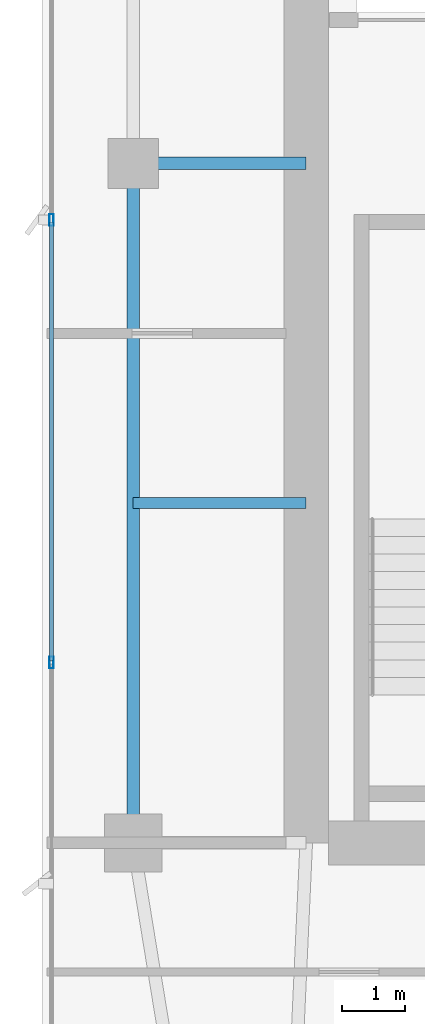
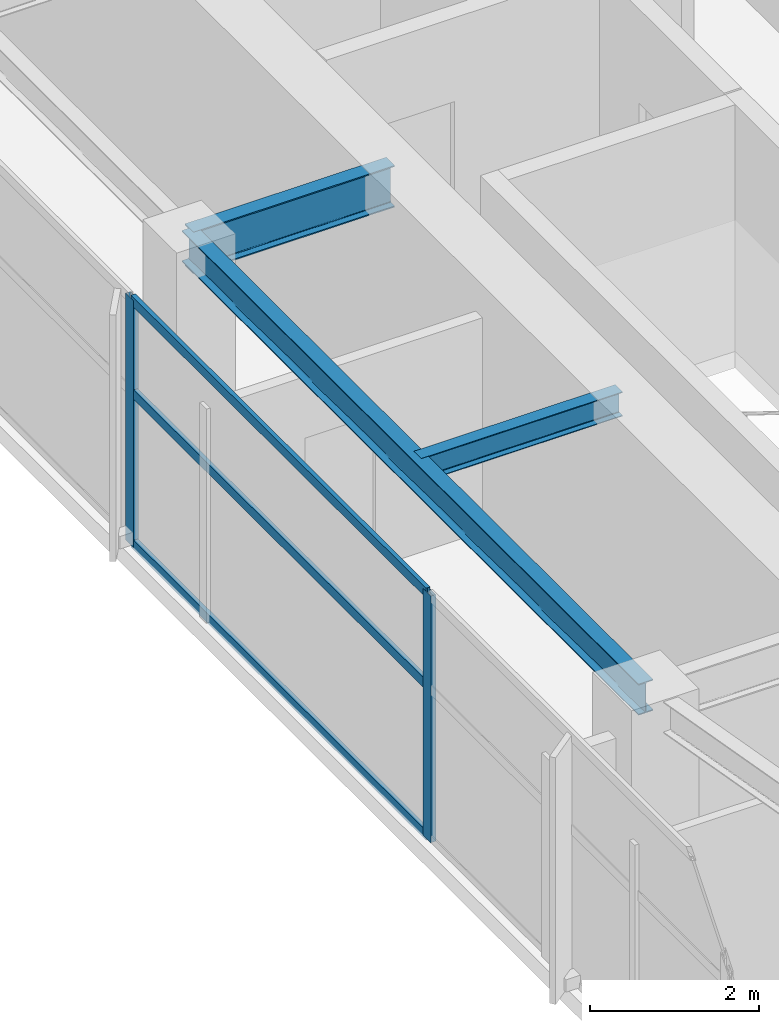
# One storey, part 8 of 27: 5 members, 3 beams, 1 element without a shape of its own.
"""IFC4 building model written with IfcOpenShell, lengths in metres."""

from ifc_helpers import new_model, si_unit, direction, frame, origin, origin_2d, place, context, subcontext, project, spatial, hollow_rectangle, i_section, extrude, material, layer, layer_set, material_profile, profile_set, type_object, element, aggregate, save


model = new_model("IFC4")

# Units and contexts
model_context = context("Model", 3, precision=1e-05, world=origin(), true_north=direction((0.0, 1.0)))
body_context = subcontext(model_context, "Body", "Model", "MODEL_VIEW")
ifc_project = project(units=[si_unit("LENGTHUNIT", "METRE"), si_unit("AREAUNIT", "SQUARE_METRE"), si_unit("VOLUMEUNIT", "CUBIC_METRE"), si_unit("PLANEANGLEUNIT", "RADIAN"), si_unit("MASSUNIT", "GRAM", prefix="KILO")], contexts=[model_context])

# Site, building, storey
site_placement = place(None, origin())
site = spatial("IfcSite", under=ifc_project, at=site_placement, CompositionType="ELEMENT")
building_placement = place(site_placement, origin())
building = spatial("IfcBuilding", under=site, at=building_placement, Name="Calvorn Quay Hotel", CompositionType="ELEMENT")
storey_placement = place(building_placement, frame((0.0, 0.0, 223.10009765625)))
storey = spatial("IfcBuildingStorey", under=building, at=storey_placement, Name="L55", CompositionType="ELEMENT", Elevation=223.10009765625)

# Beams
ifc_material_1 = material(Name="Steel Q355B", Category="steel")
ifc_material_profile_1 = material_profile(ifc_material_1, i_section(OverallWidth=0.199951171875, OverallDepth=0.60009765625, WebThickness=0.010986328125, FlangeThickness=0.01708984375, FilletRadius=0.01806640625, at=origin_2d()), Name="HN600x200x11x17")
ifc_profile_set_1 = profile_set([ifc_material_profile_1], Name="Steel Q355B")
beam_type_1 = type_object("IfcBeamType", Name="BM-GIRD-TYP", PredefinedType="BEAM", material=ifc_profile_set_1)
beam_1_placement = place(storey_placement, frame((1.449951171875, 27.60009765625, 3.239990234375), z_axis=(1.0, 0.0, 0.0), x_axis=(0.0, 1.0, 0.0)))
element("IfcBeam", 1, at=beam_1_placement, inside=storey, type_object=beam_type_1, Name="Beam BG-L55-W2", PredefinedType="BEAM", context=body_context, shape_type="SweptSolid", body=[
    extrude(i_section(OverallWidth=0.199951171875, OverallDepth=0.60009765625, WebThickness=0.010986328125, FlangeThickness=0.01708984375, FilletRadius=0.01806640625, at=origin_2d()), origin(), (0.0, 0.0, 1.0), 2.75),
])
ifc_material_2 = material(Name="Steel Q355B", Category="steel")
ifc_material_profile_2 = material_profile(ifc_material_2, i_section(OverallWidth=0.175048828125, OverallDepth=0.35009765625, WebThickness=0.007080078125, FlangeThickness=0.010986328125, FilletRadius=0.013916015625, at=origin_2d()), Name="HN350x175x7x11")
ifc_profile_set_2 = profile_set([ifc_material_profile_2], Name="Steel Q355B")
beam_type_2 = type_object("IfcBeamType", Name="BM-JOIST-SEC", PredefinedType="JOIST", material=ifc_profile_set_2)
beam_2_placement = place(storey_placement, frame((1.449951171875, 22.199951171875, 3.364990234375), z_axis=(1.0, 0.0, 0.0), x_axis=(0.0, 1.0, 0.0)))
element("IfcBeam", 2, at=beam_2_placement, inside=storey, type_object=beam_type_2, Name="Beam BJ-L55-W3", PredefinedType="JOIST", context=body_context, shape_type="SweptSolid", body=[
    extrude(i_section(OverallWidth=0.175048828125, OverallDepth=0.35009765625, WebThickness=0.007080078125, FlangeThickness=0.010986328125, FilletRadius=0.013916015625, at=origin_2d()), origin(), (0.0, 0.0, 1.0), 2.75),
])
ifc_material_3 = material(Name="Steel Q355B", Category="steel")
ifc_material_profile_3 = material_profile(ifc_material_3, i_section(OverallWidth=0.199951171875, OverallDepth=0.449951171875, WebThickness=0.009033203125, FlangeThickness=0.013916015625, FilletRadius=0.01611328125, at=origin_2d()), Name="HN450x200x9x14")
ifc_profile_set_3 = profile_set([ifc_material_profile_3], Name="Steel Q355B")
beam_type_3 = type_object("IfcBeamType", Name="BM-SPANDREL-Z3", PredefinedType="SPANDREL", material=ifc_profile_set_3)
beam_3_placement = place(storey_placement, frame((1.449951171875, 16.800048828125, 3.31494140625), z_axis=(0.0, 1.0, 0.0), x_axis=(-1.0, 0.0, 0.0)))
element("IfcBeam", 3, at=beam_3_placement, inside=storey, type_object=beam_type_3, Name="Beam BSP-L55-W2", PredefinedType="SPANDREL", context=body_context, shape_type="SweptSolid", body=[
    extrude(i_section(OverallWidth=0.199951171875, OverallDepth=0.449951171875, WebThickness=0.009033203125, FlangeThickness=0.013916015625, FilletRadius=0.01611328125, at=origin_2d()), origin(), (0.0, 0.0, 1.0), 10.800048828125),
])

# Curtain wall, members
ifc_material_4 = material(Name="Champagne Bronze Anodised Aluminium and Low-E Glass", Category="aluminium")
ifc_layer = layer(ifc_material_4, 0.219970703125)
ifc_layer_set = layer_set([ifc_layer], Name="CW-SYS-Z3")
curtain_wall_type = type_object("IfcCurtainWallType", Name="CW-SYS-Z3", PredefinedType="NOTDEFINED", material=ifc_layer_set)
curtain_wall_placement = place(storey_placement, origin())
curtain_wall = element("IfcCurtainWall", 4, at=curtain_wall_placement, inside=storey, type_object=curtain_wall_type, Name="Tower West Curtain Wall (L55)", PredefinedType="NOTDEFINED")
ifc_material_5 = material(Name="Champagne Bronze Anodised Aluminium 6063-T6", Category="aluminium")
ifc_material_profile_4 = material_profile(ifc_material_5, hollow_rectangle(XDim=0.068115234375, YDim=0.18505859375, WallThickness=0.00390625, at=origin_2d()), Name="ALU-M185x68x4")
ifc_profile_set_4 = profile_set([ifc_material_profile_4], Name="Champagne Bronze Anodised Aluminium 6063-T6")
member_type_1 = type_object("IfcMemberType", Name="CW-SYS-Z3-MUL", PredefinedType="MULLION", material=ifc_profile_set_4)
member_1_placement = place(storey_placement, frame((0.14990234375, 19.666748046875, 0.0), z_axis=(0.0, 0.0, 1.0), x_axis=(-1.0, 0.0, 0.0)))
member_1 = element("IfcMember", 5, at=member_1_placement, type_object=member_type_1, Name="CW-L55-W mullion 3", PredefinedType="MULLION", context=body_context, shape_type="SweptSolid", body=[
    extrude(hollow_rectangle(XDim=0.068115234375, YDim=0.18505859375, WallThickness=0.00390625, at=origin_2d()), origin(), (0.0, 0.0, 1.0), 3.559814453125),
])
member_2_placement = place(storey_placement, frame((0.14990234375, 26.699951171875, 0.0), z_axis=(0.0, 0.0, 1.0), x_axis=(-1.0, 0.0, 0.0)))
member_2 = element("IfcMember", 6, at=member_2_placement, type_object=member_type_1, Name="CW-L55-W mullion 4", PredefinedType="MULLION", context=body_context, shape_type="SweptSolid", body=[
    extrude(hollow_rectangle(XDim=0.068115234375, YDim=0.18505859375, WallThickness=0.00390625, at=origin_2d()), origin(), (0.0, 0.0, 1.0), 3.559814453125),
])
ifc_material_6 = material(Name="Champagne Bronze Anodised Aluminium 6063-T6", Category="aluminium")
ifc_material_profile_5 = material_profile(ifc_material_6, hollow_rectangle(XDim=0.05810546875, YDim=0.139892578125, WallThickness=0.003173828125, at=origin_2d()), Name="ALU-T140x58x3.2")
ifc_profile_set_5 = profile_set([ifc_material_profile_5], Name="Champagne Bronze Anodised Aluminium 6063-T6")
member_type_2 = type_object("IfcMemberType", Name="CW-SYS-Z3-TRN", PredefinedType="USERDEFINED", material=ifc_profile_set_5)
member_3_placement = place(storey_placement, frame((0.14990234375, 19.69677734375, 0.02978515625), z_axis=(0.0, 1.0, 0.0), x_axis=(-1.0, 0.0, 0.0)))
member_3 = element("IfcMember", 7, at=member_3_placement, type_object=member_type_2, Name="CW-L55-W transom 3.1", ObjectType="TRANSOM", PredefinedType="USERDEFINED", context=body_context, shape_type="SweptSolid", body=[
    extrude(hollow_rectangle(XDim=0.05810546875, YDim=0.139892578125, WallThickness=0.003173828125, at=origin_2d()), origin(), (0.0, 0.0, 1.0), 6.97314453125),
])
member_4_placement = place(storey_placement, frame((0.14990234375, 19.69677734375, 2.199951171875), z_axis=(0.0, 1.0, 0.0), x_axis=(-1.0, 0.0, 0.0)))
member_4 = element("IfcMember", 8, at=member_4_placement, type_object=member_type_2, Name="CW-L55-W transom 3.2", ObjectType="TRANSOM", PredefinedType="USERDEFINED", context=body_context, shape_type="SweptSolid", body=[
    extrude(hollow_rectangle(XDim=0.05810546875, YDim=0.139892578125, WallThickness=0.003173828125, at=origin_2d()), origin(), (0.0, 0.0, 1.0), 6.97314453125),
])
member_5_placement = place(storey_placement, frame((0.14990234375, 19.69677734375, 3.52978515625), z_axis=(0.0, 1.0, 0.0), x_axis=(-1.0, 0.0, 0.0)))
member_5 = element("IfcMember", 9, at=member_5_placement, type_object=member_type_2, Name="CW-L55-W transom 3.3", ObjectType="TRANSOM", PredefinedType="USERDEFINED", context=body_context, shape_type="SweptSolid", body=[
    extrude(hollow_rectangle(XDim=0.05810546875, YDim=0.139892578125, WallThickness=0.003173828125, at=origin_2d()), origin(), (0.0, 0.0, 1.0), 6.97314453125),
])
aggregate(curtain_wall, [member_1, member_2, member_3, member_4, member_5])

save(model, "model.ifc")
